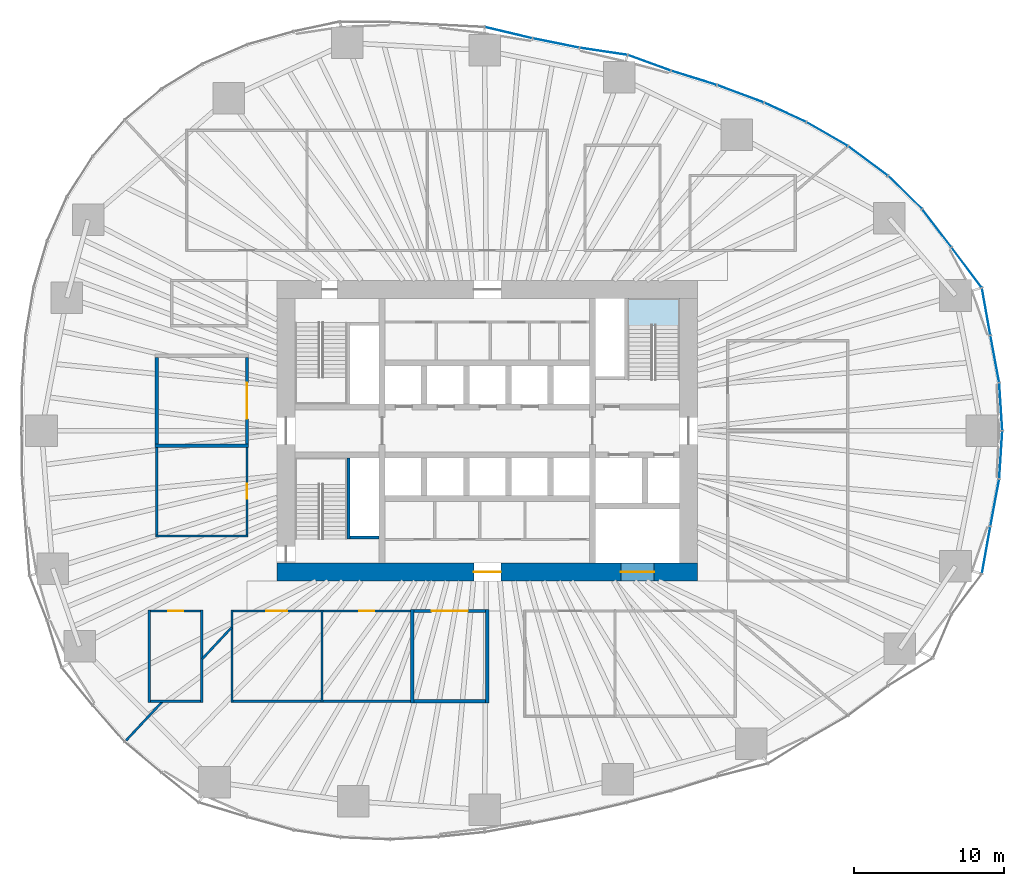
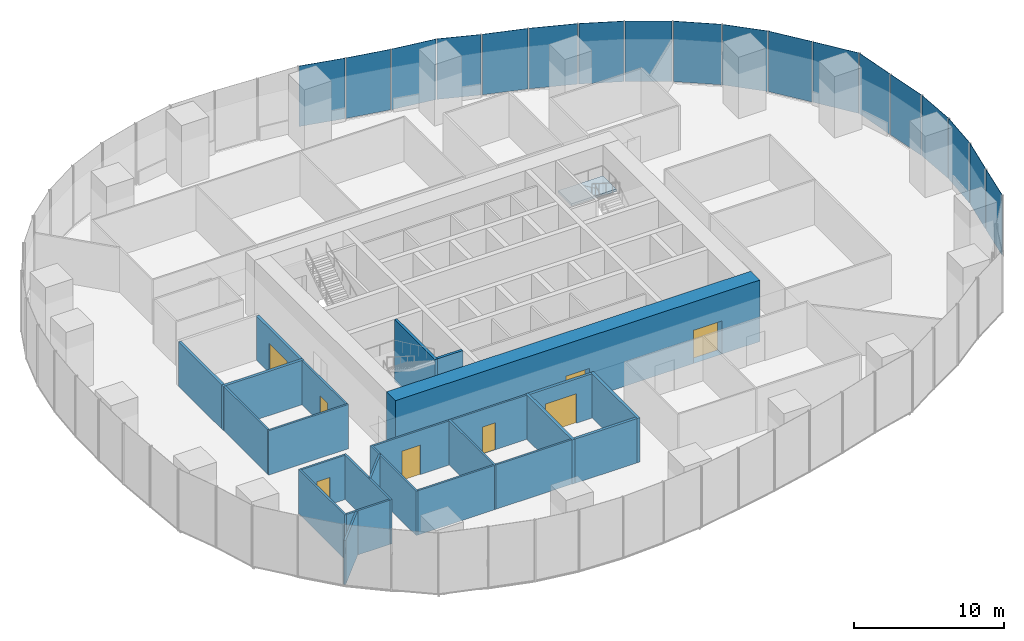
# One storey, part 9 of 20: 25 walls, 18 plates, 8 doors, 1 slab, 8 openings, 7 elements without a shape of their own.
"""IFC4 building model written with IfcOpenShell, lengths in metres."""

from ifc_helpers import new_model, si_unit, direction, frame, frame_2d, origin, origin_2d, place, context, subcontext, project, spatial, polyline, rectangle, outline, extrude, material, layer, layer_set, type_object, element, fill, aggregate, save


model = new_model("IFC4")

# Units and contexts
model_context = context("Model", 3, precision=1e-05, world=origin(), true_north=direction((0.0, 1.0)))
body_context = subcontext(model_context, "Body", "Model", "MODEL_VIEW")
ifc_project = project(units=[si_unit("LENGTHUNIT", "METRE"), si_unit("AREAUNIT", "SQUARE_METRE"), si_unit("VOLUMEUNIT", "CUBIC_METRE"), si_unit("PLANEANGLEUNIT", "RADIAN"), si_unit("MASSUNIT", "GRAM", prefix="KILO")], contexts=[model_context])

# Site, building, storey
site_placement = place(None, origin())
site = spatial("IfcSite", under=ifc_project, at=site_placement, CompositionType="ELEMENT")
building_placement = place(site_placement, origin())
building = spatial("IfcBuilding", under=site, at=building_placement, Name="Ghaith Harvest Tower", CompositionType="ELEMENT")
storey_placement = place(building_placement, frame((0.0, 0.0, 35.0)))
storey = spatial("IfcBuildingStorey", under=building, at=storey_placement, Name="L07", CompositionType="ELEMENT", Elevation=35.0)

# Curtain wall, plates
ifc_material_1 = material(Name="Black anodised aluminium and fritted glass", Category="aluminium")
curtain_wall_type = type_object("IfcCurtainWallType", Name="CW-F CURTAIN WALL", PredefinedType="NOTDEFINED", material=ifc_material_1)
curtain_wall_1_placement = place(storey_placement, origin())
curtain_wall_1 = element("IfcCurtainWall", 1, at=curtain_wall_1_placement, inside=storey, type_object=curtain_wall_type, Name="Curtain wall CW-F bay 01 L07", PredefinedType="NOTDEFINED")
ifc_material_2 = material(Name="Glass, high-transmission fritted double glazed unit", Category="glass")
ifc_layer_1 = layer(ifc_material_2, 0.028076171875)
ifc_layer_set_1 = layer_set([ifc_layer_1], Name="CW-F VISION PANEL")
plate_type = type_object("IfcPlateType", Name="CW-F VISION PANEL", PredefinedType="CURTAIN_PANEL", material=ifc_layer_set_1)
plate_1_placement = place(storey_placement, frame((34.181396484375, 1.602783203125, 0.080078125), z_axis=(0.0, 0.0, 1.0), x_axis=(-0.064445645786, 0.997921218704, 0.0)))
plate_1 = element("IfcPlate", 2, at=plate_1_placement, type_object=plate_type, Name="CW-F panel 1 bay 01 L07", PredefinedType="CURTAIN_PANEL", context=body_context, shape_type="SweptSolid", body=[
    extrude(rectangle(XDim=3.132080078125, YDim=0.028076171875, at=origin_2d()), origin(), (0.0, 0.0, 1.0), 4.919921875),
])
plate_2_placement = place(storey_placement, frame((33.78369140625, 4.78076171875, 0.080078125), z_axis=(0.0, 0.0, 1.0), x_axis=(-0.183569249502, 0.983006780565, 0.0)))
plate_2 = element("IfcPlate", 3, at=plate_2_placement, type_object=plate_type, Name="CW-F panel 2 bay 01 L07", PredefinedType="CURTAIN_PANEL", context=body_context, shape_type="SweptSolid", body=[
    extrude(rectangle(XDim=3.12548828125, YDim=0.028076171875, at=origin_2d()), origin(), (0.0, 0.0, 1.0), 4.919921875),
])
plate_3_placement = place(storey_placement, frame((33.20654296875, 7.93603515625, 0.080078125), z_axis=(0.0, 0.0, 1.0), x_axis=(-0.176319663586, 0.984332960046, 0.0)))
plate_3 = element("IfcPlate", 4, at=plate_3_placement, type_object=plate_type, Name="CW-F panel 3 bay 01 L07", PredefinedType="CURTAIN_PANEL", context=body_context, shape_type="SweptSolid", body=[
    extrude(rectangle(XDim=3.129638671875, YDim=0.028076171875, at=origin_2d()), origin(), (0.0, 0.0, 1.0), 4.919921875),
])
aggregate(curtain_wall_1, [plate_1, plate_2, plate_3])

curtain_wall_2_placement = place(storey_placement, origin())
curtain_wall_2 = element("IfcCurtainWall", 5, at=curtain_wall_2_placement, inside=storey, type_object=curtain_wall_type, Name="Curtain wall CW-F bay 02 L07", PredefinedType="NOTDEFINED")
plate_4_placement = place(storey_placement, frame((31.91015625, 10.865234375, 0.080078125), z_axis=(0.0, 0.0, 1.0), x_axis=(-0.600454091192, 0.799659230154, 0.0)))
plate_4 = element("IfcPlate", 6, at=plate_4_placement, type_object=plate_type, Name="CW-F panel 1 bay 02 L07", PredefinedType="CURTAIN_PANEL", context=body_context, shape_type="SweptSolid", body=[
    extrude(rectangle(XDim=3.295654296875, YDim=0.028076171875, at=origin_2d()), origin(), (0.0, 0.0, 1.0), 4.919921875),
])
plate_5_placement = place(storey_placement, frame((29.921875, 13.4892578125, 0.080078125), z_axis=(0.0, 0.0, 1.0), x_axis=(-0.607611877494, 0.794234100457, 0.0)))
plate_5 = element("IfcPlate", 7, at=plate_5_placement, type_object=plate_type, Name="CW-F panel 2 bay 02 L07", PredefinedType="CURTAIN_PANEL", context=body_context, shape_type="SweptSolid", body=[
    extrude(rectangle(XDim=3.128662109375, YDim=0.028076171875, at=origin_2d()), origin(), (0.0, 0.0, 1.0), 4.919921875),
])
plate_6_placement = place(storey_placement, frame((27.810546875, 15.869384765625, 0.080078125), z_axis=(0.0, 0.0, 1.0), x_axis=(-0.716691335472, 0.69739051446, 0.0)))
plate_6 = element("IfcPlate", 8, at=plate_6_placement, type_object=plate_type, Name="CW-F panel 3 bay 02 L07", PredefinedType="CURTAIN_PANEL", context=body_context, shape_type="SweptSolid", body=[
    extrude(rectangle(XDim=3.092041015625, YDim=0.028076171875, at=origin_2d()), origin(), (0.0, 0.0, 1.0), 4.919921875),
])
aggregate(curtain_wall_2, [plate_4, plate_5, plate_6])

curtain_wall_3_placement = place(storey_placement, origin())
curtain_wall_3 = element("IfcCurtainWall", 9, at=curtain_wall_3_placement, inside=storey, type_object=curtain_wall_type, Name="Curtain wall CW-F bay 03 L07", PredefinedType="NOTDEFINED")
plate_7_placement = place(storey_placement, frame((25.34619140625, 17.96142578125, 0.080078125), z_axis=(0.0, 0.0, 1.0), x_axis=(-0.802866788578, 0.596158468697, 0.0)))
plate_7 = element("IfcPlate", 10, at=plate_7_placement, type_object=plate_type, Name="CW-F panel 1 bay 03 L07", PredefinedType="CURTAIN_PANEL", context=body_context, shape_type="SweptSolid", body=[
    extrude(rectangle(XDim=3.2275390625, YDim=0.028076171875, at=origin_2d()), origin(), (0.0, 0.0, 1.0), 4.919921875),
])
plate_8_placement = place(storey_placement, frame((22.626953125, 19.750244140625, 0.080078125), z_axis=(0.0, 0.0, 1.0), x_axis=(-0.866159208358, 0.499768172033, 0.0)))
plate_8 = element("IfcPlate", 11, at=plate_8_placement, type_object=plate_type, Name="CW-F panel 2 bay 03 L07", PredefinedType="CURTAIN_PANEL", context=body_context, shape_type="SweptSolid", body=[
    extrude(rectangle(XDim=3.1328125, YDim=0.028076171875, at=origin_2d()), origin(), (0.0, 0.0, 1.0), 4.919921875),
])
plate_9_placement = place(storey_placement, frame((19.8291015625, 21.19970703125, 0.080078125), z_axis=(0.0, 0.0, 1.0), x_axis=(-0.908529586897, 0.417820523351, 0.0)))
plate_9 = element("IfcPlate", 12, at=plate_9_placement, type_object=plate_type, Name="CW-F panel 3 bay 03 L07", PredefinedType="CURTAIN_PANEL", context=body_context, shape_type="SweptSolid", body=[
    extrude(rectangle(XDim=3.01611328125, YDim=0.028076171875, at=origin_2d()), origin(), (0.0, 0.0, 1.0), 4.919921875),
])
aggregate(curtain_wall_3, [plate_7, plate_8, plate_9])

curtain_wall_4_placement = place(storey_placement, origin())
curtain_wall_4 = element("IfcCurtainWall", 13, at=curtain_wall_4_placement, inside=storey, type_object=curtain_wall_type, Name="Curtain wall CW-F bay 04 L07", PredefinedType="NOTDEFINED")
plate_10_placement = place(storey_placement, frame((16.85498046875, 22.431396484375, 0.080078125), z_axis=(0.0, 0.0, 1.0), x_axis=(-0.936926487964, 0.349526474178, 0.0)))
plate_10 = element("IfcPlate", 14, at=plate_10_placement, type_object=plate_type, Name="CW-F panel 1 bay 04 L07", PredefinedType="CURTAIN_PANEL", context=body_context, shape_type="SweptSolid", body=[
    extrude(rectangle(XDim=3.26611328125, YDim=0.028076171875, at=origin_2d()), origin(), (0.0, 0.0, 1.0), 4.919921875),
])
plate_11_placement = place(storey_placement, frame((13.760986328125, 23.490234375, 0.080078125), z_axis=(0.0, 0.0, 1.0), x_axis=(-0.954988265421, 0.296643578911, 0.0)))
plate_11 = element("IfcPlate", 15, at=plate_11_placement, type_object=plate_type, Name="CW-F panel 2 bay 04 L07", PredefinedType="CURTAIN_PANEL", context=body_context, shape_type="SweptSolid", body=[
    extrude(rectangle(XDim=3.1171875, YDim=0.028076171875, at=origin_2d()), origin(), (0.0, 0.0, 1.0), 4.919921875),
])
plate_12_placement = place(storey_placement, frame((10.793212890625, 24.490234375, 0.080078125), z_axis=(0.0, 0.0, 1.0), x_axis=(-0.939438435482, 0.342717705902, 0.0)))
plate_12 = element("IfcPlate", 16, at=plate_12_placement, type_object=plate_type, Name="CW-F panel 3 bay 04 L07", PredefinedType="CURTAIN_PANEL", context=body_context, shape_type="SweptSolid", body=[
    extrude(rectangle(XDim=2.98828125, YDim=0.028076171875, at=origin_2d()), origin(), (0.0, 0.0, 1.0), 4.919921875),
])
aggregate(curtain_wall_4, [plate_10, plate_11, plate_12])

curtain_wall_5_placement = place(storey_placement, origin())
curtain_wall_5 = element("IfcCurtainWall", 17, at=curtain_wall_5_placement, inside=storey, type_object=curtain_wall_type, Name="Curtain wall CW-F bay 05 L07", PredefinedType="NOTDEFINED")
plate_13_placement = place(storey_placement, frame((7.744384765625, 25.255615234375, 0.080078125), z_axis=(0.0, 0.0, 1.0), x_axis=(-0.989074249382, 0.147418211935, 0.0)))
plate_13 = element("IfcPlate", 18, at=plate_13_placement, type_object=plate_type, Name="CW-F panel 1 bay 05 L07", PredefinedType="CURTAIN_PANEL", context=body_context, shape_type="SweptSolid", body=[
    extrude(rectangle(XDim=3.17041015625, YDim=0.028076171875, at=origin_2d()), origin(), (0.0, 0.0, 1.0), 4.919921875),
])
plate_14_placement = place(storey_placement, frame((4.5732421875, 25.809326171875, 0.080078125), z_axis=(0.0, 0.0, 1.0), x_axis=(-0.980432348069, 0.196856320344, 0.0)))
plate_14 = element("IfcPlate", 19, at=plate_14_placement, type_object=plate_type, Name="CW-F panel 2 bay 05 L07", PredefinedType="CURTAIN_PANEL", context=body_context, shape_type="SweptSolid", body=[
    extrude(rectangle(XDim=3.1103515625, YDim=0.028076171875, at=origin_2d()), origin(), (0.0, 0.0, 1.0), 4.919921875),
])
plate_15_placement = place(storey_placement, frame((1.41259765625, 26.500244140625, 0.080078125), z_axis=(0.0, 0.0, 1.0), x_axis=(-0.97324595378, 0.229765779545, 0.0)))
plate_15 = element("IfcPlate", 20, at=plate_15_placement, type_object=plate_type, Name="CW-F panel 3 bay 05 L07", PredefinedType="CURTAIN_PANEL", context=body_context, shape_type="SweptSolid", body=[
    extrude(rectangle(XDim=3.200927734375, YDim=0.028076171875, at=origin_2d()), origin(), (0.0, 0.0, 1.0), 4.919921875),
])
aggregate(curtain_wall_5, [plate_13, plate_14, plate_15])

curtain_wall_6_placement = place(storey_placement, origin())
curtain_wall_6 = element("IfcCurtainWall", 21, at=curtain_wall_6_placement, inside=storey, type_object=curtain_wall_type, Name="Curtain wall CW-F bay 20 L07", PredefinedType="NOTDEFINED")
plate_16_placement = place(storey_placement, frame((33.20654296875, -7.93603515625, 0.080078125), z_axis=(0.0, 0.0, 1.0), x_axis=(0.176319663878, 0.984332959994, 0.0)))
plate_16 = element("IfcPlate", 22, at=plate_16_placement, type_object=plate_type, Name="CW-F panel 1 bay 20 L07", PredefinedType="CURTAIN_PANEL", context=body_context, shape_type="SweptSolid", body=[
    extrude(rectangle(XDim=3.129638671875, YDim=0.028076171875, at=origin_2d()), origin(), (0.0, 0.0, 1.0), 4.919921875),
])
plate_17_placement = place(storey_placement, frame((33.78369140625, -4.78076171875, 0.080078125), z_axis=(0.0, 0.0, 1.0), x_axis=(0.183569249777, 0.983006780514, 0.0)))
plate_17 = element("IfcPlate", 23, at=plate_17_placement, type_object=plate_type, Name="CW-F panel 2 bay 20 L07", PredefinedType="CURTAIN_PANEL", context=body_context, shape_type="SweptSolid", body=[
    extrude(rectangle(XDim=3.12548828125, YDim=0.028076171875, at=origin_2d()), origin(), (0.0, 0.0, 1.0), 4.919921875),
])
plate_18_placement = place(storey_placement, frame((34.181396484375, -1.602783203125, 0.080078125), z_axis=(0.0, 0.0, 1.0), x_axis=(0.064445645891, 0.997921218697, 0.0)))
plate_18 = element("IfcPlate", 24, at=plate_18_placement, type_object=plate_type, Name="CW-F panel 3 bay 20 L07", PredefinedType="CURTAIN_PANEL", context=body_context, shape_type="SweptSolid", body=[
    extrude(rectangle(XDim=3.132080078125, YDim=0.028076171875, at=origin_2d()), origin(), (0.0, 0.0, 1.0), 4.919921875),
])
aggregate(curtain_wall_6, [plate_16, plate_17, plate_18])

# Stair, slab
ifc_material_3 = material(Name="Concrete C40/50, precast", Category="concrete")
stair_type = type_object("IfcStairType", Name="CORE STAIR 28R", PredefinedType="HALF_TURN_STAIR", material=ifc_material_3)
stair_placement = place(storey_placement, origin())
stair = element("IfcStair", 25, at=stair_placement, inside=storey, type_object=stair_type, Name="Stair ST2 L07", PredefinedType="HALF_TURN_STAIR")
ifc_material_4 = material(Name="Concrete C40/50, precast", Category="concrete")
ifc_layer_2 = layer(ifc_material_4, 0.179931640625)
ifc_layer_set_2 = layer_set([ifc_layer_2], Name="STAIR LANDING 180")
slab_type = type_object("IfcSlabType", Name="STAIR LANDING 180", PredefinedType="LANDING", material=ifc_layer_set_2)
slab_placement = place(storey_placement, frame((0.0, 0.0, 2.320068359375)))
slab = element("IfcSlab", 26, at=slab_placement, type_object=slab_type, Name="ST2 landing 1", PredefinedType="LANDING", context=body_context, shape_type="SweptSolid", body=[
    extrude(outline(polyline([(12.800048828125, 7.02001953125), (12.800048828125, 8.800048828125), (9.35009765625, 8.800048828125), (9.35009765625, 7.02001953125), (12.800048828125, 7.02001953125)])), origin(), (0.0, 0.0, 1.0), 0.179931640625),
])
aggregate(stair, [slab])

# Walls
ifc_material_5 = material(Name="Concrete blockwork, 1-hour", Category="masonry")
ifc_layer_3 = layer(ifc_material_5, 0.215087890625)
ifc_layer_set_3 = layer_set([ifc_layer_3], Name="BLOCKWORK WALL 215")
wall_type_1 = type_object("IfcWallType", Name="BLOCKWORK WALL 215", PredefinedType="PARTITIONING", material=ifc_layer_set_3)
for number, where, z_axis, x_axis, name in (
    (27, (-5.0, -11.892578125, 0.0), (0.0, 0.0, 1.0), (0.0, -1.0, 0.0), "Partition L07 row S4 cross wall 3"),
    (28, (0.0, -11.892578125, 0.0), (0.0, 0.0, 1.0), (0.0, -1.0, 0.0), "Partition L07 row S4 cross wall 4"),
):
    element("IfcWall", number, at=place(storey_placement, frame(where, z_axis=z_axis, x_axis=x_axis)), inside=storey, type_object=wall_type_1, Name=name, PredefinedType="PARTITIONING", context=body_context, shape_type="SweptSolid", body=[
        extrude(rectangle(XDim=6.21484375, YDim=0.215087890625, at=frame_2d((3.107421875, 0.0))), origin(), (0.0, 0.0, 1.0), 3.60009765625),
    ])

# Wall, opening, door
wall_1_placement = place(storey_placement, frame((-4.892578125, -12.0, 0.0), z_axis=(0.0, 0.0, 1.0), x_axis=(1.0, 0.0, 0.0)))
wall_1 = element("IfcWall", 29, at=wall_1_placement, inside=storey, type_object=wall_type_1, Name="Partition L07-09", PredefinedType="PARTITIONING", context=body_context, shape_type="SweptSolid", body=[
    extrude(rectangle(XDim=4.78515625, YDim=0.215087890625, at=frame_2d((2.392578125, 0.0))), origin(), (0.0, 0.0, 1.0), 3.60009765625),
])
opening_1_placement = place(wall_1_placement, frame((1.1923828125, 0.0, 0.0)))
opening_1 = element("IfcOpeningElement", 30, at=opening_1_placement, cuts=wall_1, Name="Opening 07-034", PredefinedType="OPENING", context=body_context, shape_type="SweptSolid", body=[
    extrude(rectangle(XDim=2.39990234375, YDim=2.39990234375, at=frame_2d((1.199951171875, 1.199951171875))), frame((0.0, 0.11767578125, 0.0), z_axis=(0.0, -1.0, 0.0), x_axis=(1.0, 0.0, 0.0)), (0.0, 0.0, 1.0), 0.235107421875),
])
ifc_material_6 = material(Name="Timber door", Category="wood")
door_type_1 = type_object("IfcDoorType", Name="D10 PLANT PAIR 2400x2400", OperationType="DOUBLE_DOOR_SINGLE_SWING", PredefinedType="DOOR", material=ifc_material_6)
door_1_placement = place(opening_1_placement, origin())
door_1 = element("IfcDoor", 31, at=door_1_placement, inside=storey, type_object=door_type_1, Name="Nutrient tank room door", OperationType="DOUBLE_DOOR_SINGLE_SWING", OverallHeight=2.39990234375, OverallWidth=2.39990234375, PredefinedType="DOOR", context=body_context, shape_type="SweptSolid", body=[
    extrude(rectangle(XDim=2.39990234375, YDim=2.39990234375, at=frame_2d((1.199951171875, 1.199951171875))), frame((0.0, 0.02490234375, 0.0), z_axis=(0.0, -1.0, 0.0), x_axis=(1.0, 0.0, 0.0)), (0.0, 0.0, 1.0), 0.050048828125),
])
fill(opening_1, door_1)

# Walls
wall_2_placement = place(storey_placement, frame((-4.892578125, -18.0, 0.0), z_axis=(0.0, 0.0, 1.0), x_axis=(1.0, 0.0, 0.0)))
element("IfcWall", 32, at=wall_2_placement, inside=storey, type_object=wall_type_1, Name="Partition L07-09", PredefinedType="PARTITIONING", context=body_context, shape_type="SweptSolid", body=[
    extrude(rectangle(XDim=4.78515625, YDim=0.215087890625, at=frame_2d((2.392578125, 0.0))), origin(), (0.0, 0.0, 1.0), 3.60009765625),
])
wall_3_placement = place(storey_placement, frame((-15.892578125, -1.0, 0.0), z_axis=(0.0, 0.0, 1.0), x_axis=(-1.0, 0.0, 0.0)))
element("IfcWall", 33, at=wall_3_placement, inside=storey, type_object=wall_type_1, Name="Partition L07 row W6 cross wall 2", PredefinedType="PARTITIONING", context=body_context, shape_type="SweptSolid", body=[
    extrude(rectangle(XDim=6.21484375, YDim=0.215087890625, at=frame_2d((3.107421875, 0.0))), origin(), (0.0, 0.0, 1.0), 3.60009765625),
])

# Wall, opening, door
wall_4_placement = place(storey_placement, frame((-16.0, -0.892578125, 0.0), z_axis=(0.0, 0.0, 1.0), x_axis=(0.0, 1.0, 0.0)))
wall_4 = element("IfcWall", 34, at=wall_4_placement, inside=storey, type_object=wall_type_1, Name="Partition L07-13", PredefinedType="PARTITIONING", context=body_context, shape_type="SweptSolid", body=[
    extrude(rectangle(XDim=5.78515625, YDim=0.215087890625, at=frame_2d((2.892578125, 0.0))), origin(), (0.0, 0.0, 1.0), 3.60009765625),
])
opening_2_placement = place(wall_4_placement, frame((1.6923828125, 0.0, 0.0)))
opening_2 = element("IfcOpeningElement", 35, at=opening_2_placement, cuts=wall_4, Name="Opening 07-038", PredefinedType="OPENING", context=body_context, shape_type="SweptSolid", body=[
    extrude(rectangle(XDim=2.39990234375, YDim=2.39990234375, at=frame_2d((1.199951171875, 1.199951171875))), frame((0.0, 0.11767578125, 0.0), z_axis=(0.0, -1.0, 0.0), x_axis=(1.0, 0.0, 0.0)), (0.0, 0.0, 1.0), 0.235107421875),
])
door_2_placement = place(opening_2_placement, origin())
door_2 = element("IfcDoor", 36, at=door_2_placement, inside=storey, type_object=door_type_1, Name="Water treatment room door", OperationType="DOUBLE_DOOR_SINGLE_SWING", OverallHeight=2.39990234375, OverallWidth=2.39990234375, PredefinedType="DOOR", context=body_context, shape_type="SweptSolid", body=[
    extrude(rectangle(XDim=2.39990234375, YDim=2.39990234375, at=frame_2d((1.199951171875, 1.199951171875))), frame((0.0, 0.02490234375, 0.0), z_axis=(0.0, -1.0, 0.0), x_axis=(1.0, 0.0, 0.0)), (0.0, 0.0, 1.0), 0.050048828125),
])
fill(opening_2, door_2)

# Wall
wall_5_placement = place(storey_placement, frame((-22.0, -0.892578125, 0.0), z_axis=(0.0, 0.0, 1.0), x_axis=(0.0, 1.0, 0.0)))
element("IfcWall", 37, at=wall_5_placement, inside=storey, type_object=wall_type_1, Name="Partition L07-13", PredefinedType="PARTITIONING", context=body_context, shape_type="SweptSolid", body=[
    extrude(rectangle(XDim=5.78515625, YDim=0.215087890625, at=frame_2d((2.892578125, 0.0))), origin(), (0.0, 0.0, 1.0), 3.60009765625),
])

# Wall, openings, doors
ifc_material_7 = material(Name="Concrete C70/85", Category="concrete")
ifc_layer_4 = layer(ifc_material_7, 1.199951171875)
ifc_layer_set_4 = layer_set([ifc_layer_4], Name="CORE WALL CW1200")
wall_type_2 = type_object("IfcWallType", Name="CORE WALL CW1200", PredefinedType="SHEAR", material=ifc_layer_set_4)
wall_6_placement = place(storey_placement, frame((-14.0, -9.39990234375, 0.0), z_axis=(0.0, 0.0, 1.0), x_axis=(1.0, 0.0, 0.0)))
wall_6 = element("IfcWall", 38, at=wall_6_placement, inside=storey, type_object=wall_type_2, Name="Core wall S L07", PredefinedType="SHEAR", context=body_context, shape_type="SweptSolid", body=[
    extrude(rectangle(XDim=28.0, YDim=1.199951171875, at=frame_2d((14.0, 0.0))), origin(), (0.0, 0.0, 1.0), 5.0),
])
opening_3_placement = place(wall_6_placement, frame((13.10009765625, 0.0, 0.0)))
opening_3 = element("IfcOpeningElement", 39, at=opening_3_placement, cuts=wall_6, Name="Opening 07-018", PredefinedType="OPENING", context=body_context, shape_type="SweptSolid", body=[
    extrude(rectangle(XDim=1.800048828125, YDim=2.39990234375, at=frame_2d((0.89990234375, 1.199951171875))), frame((0.0, 0.60986328125, 0.0), z_axis=(0.0, -1.0, 0.0), x_axis=(1.0, 0.0, 0.0)), (0.0, 0.0, 1.0), 1.219970703125),
])
opening_4_placement = place(wall_6_placement, frame((22.89990234375, 0.0, 0.0)))
opening_4 = element("IfcOpeningElement", 40, at=opening_4_placement, cuts=wall_6, Name="Opening 07-025", PredefinedType="OPENING", context=body_context, shape_type="SweptSolid", body=[
    extrude(rectangle(XDim=2.199951171875, YDim=2.699951171875, at=frame_2d((1.10009765625, 1.35009765625))), frame((0.0, 0.60986328125, 0.0), z_axis=(0.0, -1.0, 0.0), x_axis=(1.0, 0.0, 0.0)), (0.0, 0.0, 1.0), 1.219970703125),
])
ifc_material_8 = material(Name="Steel fire door", Category="steel")
door_type_2 = type_object("IfcDoorType", Name="D4 FD90 PAIR 1800x2400", OperationType="DOUBLE_DOOR_SINGLE_SWING", PredefinedType="DOOR", material=ifc_material_8)
door_3_placement = place(opening_3_placement, origin())
door_3 = element("IfcDoor", 41, at=door_3_placement, inside=storey, type_object=door_type_2, Name="Core service corridor doors", OperationType="DOUBLE_DOOR_SINGLE_SWING", OverallHeight=2.39990234375, OverallWidth=1.800048828125, PredefinedType="DOOR", context=body_context, shape_type="SweptSolid", body=[
    extrude(rectangle(XDim=1.800048828125, YDim=2.39990234375, at=frame_2d((0.89990234375, 1.199951171875))), frame((0.0, 0.02490234375, 0.0), z_axis=(0.0, -1.0, 0.0), x_axis=(1.0, 0.0, 0.0)), (0.0, 0.0, 1.0), 0.050048828125),
])
fill(opening_3, door_3)
ifc_material_9 = material(Name="Steel fire door", Category="steel")
door_type_3 = type_object("IfcDoorType", Name="LD3 LANDING 2200x2700", OperationType="DOUBLE_DOOR_SLIDING", PredefinedType="DOOR", material=ifc_material_9)
door_4_placement = place(opening_4_placement, origin())
door_4 = element("IfcDoor", 42, at=door_4_placement, inside=storey, type_object=door_type_3, Name="Landing door, goods lift GL1", OperationType="DOUBLE_DOOR_SLIDING", OverallHeight=2.699951171875, OverallWidth=2.199951171875, PredefinedType="DOOR", context=body_context, shape_type="SweptSolid", body=[
    extrude(rectangle(XDim=2.199951171875, YDim=2.699951171875, at=frame_2d((1.10009765625, 1.35009765625))), frame((0.0, 0.02490234375, 0.0), z_axis=(0.0, -1.0, 0.0), x_axis=(1.0, 0.0, 0.0)), (0.0, 0.0, 1.0), 0.050048828125),
])
fill(opening_4, door_4)

# Walls
ifc_material_10 = material(Name="Gypsum board on steel studs", Category="steel")
ifc_layer_5 = layer(ifc_material_10, 0.14990234375)
ifc_layer_set_5 = layer_set([ifc_layer_5], Name="PARTITION 150")
wall_type_3 = type_object("IfcWallType", Name="PARTITION 150", PredefinedType="PARTITIONING", material=ifc_layer_set_5)
for number, where, z_axis, x_axis, name in (
    (43, (-17.0, -11.925048828125, 0.0), (0.0, 0.0, 1.0), (0.0, -1.0, 0.0), "Partition L07 row S4 cross wall 1"),
    (44, (-11.0, -11.925048828125, 0.0), (0.0, 0.0, 1.0), (0.0, -1.0, 0.0), "Partition L07 row S4 cross wall 2"),
):
    element("IfcWall", number, at=place(storey_placement, frame(where, z_axis=z_axis, x_axis=x_axis)), inside=storey, type_object=wall_type_3, Name=name, PredefinedType="PARTITIONING", context=body_context, shape_type="SweptSolid", body=[
        extrude(rectangle(XDim=6.14990234375, YDim=0.14990234375, at=frame_2d((3.074951171875, 0.0))), origin(), (0.0, 0.0, 1.0), 3.60009765625),
    ])

# Wall, opening, door
wall_7_placement = place(storey_placement, frame((-16.925048828125, -12.0, 0.0), z_axis=(0.0, 0.0, 1.0), x_axis=(1.0, 0.0, 0.0)))
wall_7 = element("IfcWall", 45, at=wall_7_placement, inside=storey, type_object=wall_type_3, Name="Partition L07-07", PredefinedType="PARTITIONING", context=body_context, shape_type="SweptSolid", body=[
    extrude(rectangle(XDim=5.85009765625, YDim=0.14990234375, at=frame_2d((2.925048828125, 0.0))), origin(), (0.0, 0.0, 1.0), 3.60009765625),
])
opening_5_placement = place(wall_7_placement, frame((2.22509765625, 0.0, 0.0)))
opening_5 = element("IfcOpeningElement", 46, at=opening_5_placement, cuts=wall_7, Name="Opening 07-032", PredefinedType="OPENING", context=body_context, shape_type="SweptSolid", body=[
    extrude(rectangle(XDim=1.39990234375, YDim=2.39990234375, at=frame_2d((0.699951171875, 1.199951171875))), frame((0.0, 0.0849609375, 0.0), z_axis=(0.0, -1.0, 0.0), x_axis=(1.0, 0.0, 0.0)), (0.0, 0.0, 1.0), 0.169921875),
])
ifc_material_11 = material(Name="Stainless steel faced door pair", Category="steel")
door_type_4 = type_object("IfcDoorType", Name="D14 HYGIENE PAIR 1400x2400", OperationType="DOUBLE_DOOR_DOUBLE_SWING", PredefinedType="DOOR", material=ifc_material_11)
door_5_placement = place(opening_5_placement, origin())
door_5 = element("IfcDoor", 47, at=door_5_placement, inside=storey, type_object=door_type_4, Name="Tray wash room door", OperationType="DOUBLE_DOOR_DOUBLE_SWING", OverallHeight=2.39990234375, OverallWidth=1.39990234375, PredefinedType="DOOR", context=body_context, shape_type="SweptSolid", body=[
    extrude(rectangle(XDim=1.39990234375, YDim=2.39990234375, at=frame_2d((0.699951171875, 1.199951171875))), frame((0.0, 0.02490234375, 0.0), z_axis=(0.0, -1.0, 0.0), x_axis=(1.0, 0.0, 0.0)), (0.0, 0.0, 1.0), 0.050048828125),
])
fill(opening_5, door_5)

# Wall
wall_8_placement = place(storey_placement, frame((-16.925048828125, -18.0, 0.0), z_axis=(0.0, 0.0, 1.0), x_axis=(1.0, 0.0, 0.0)))
element("IfcWall", 48, at=wall_8_placement, inside=storey, type_object=wall_type_3, Name="Partition L07-07", PredefinedType="PARTITIONING", context=body_context, shape_type="SweptSolid", body=[
    extrude(rectangle(XDim=5.85009765625, YDim=0.14990234375, at=frame_2d((2.925048828125, 0.0))), origin(), (0.0, 0.0, 1.0), 3.60009765625),
])

# Wall, opening, door
wall_9_placement = place(storey_placement, frame((-10.925048828125, -12.0, 0.0), z_axis=(0.0, 0.0, 1.0), x_axis=(1.0, 0.0, 0.0)))
wall_9 = element("IfcWall", 49, at=wall_9_placement, inside=storey, type_object=wall_type_3, Name="Partition L07-08", PredefinedType="PARTITIONING", context=body_context, shape_type="SweptSolid", body=[
    extrude(rectangle(XDim=5.817626953125, YDim=0.14990234375, at=frame_2d((2.90869140625, 0.0))), origin(), (0.0, 0.0, 1.0), 3.60009765625),
])
opening_6_placement = place(wall_9_placement, frame((2.40869140625, 0.0, 0.0)))
opening_6 = element("IfcOpeningElement", 50, at=opening_6_placement, cuts=wall_9, Name="Opening 07-033", PredefinedType="OPENING", context=body_context, shape_type="SweptSolid", body=[
    extrude(rectangle(XDim=1.0, YDim=2.199951171875, at=frame_2d((0.5, 1.10009765625))), frame((0.0, 0.0849609375, 0.0), z_axis=(0.0, -1.0, 0.0), x_axis=(1.0, 0.0, 0.0)), (0.0, 0.0, 1.0), 0.169921875),
])
ifc_material_12 = material(Name="Timber door", Category="wood")
door_type_5 = type_object("IfcDoorType", Name="D1 SINGLE 1000x2200", OperationType="SINGLE_SWING_LEFT", PredefinedType="DOOR", material=ifc_material_12)
door_6_placement = place(opening_6_placement, origin())
door_6 = element("IfcDoor", 51, at=door_6_placement, inside=storey, type_object=door_type_5, Name="Nutrient dosing room door", OperationType="SINGLE_SWING_LEFT", OverallHeight=2.199951171875, OverallWidth=1.0, PredefinedType="DOOR", context=body_context, shape_type="SweptSolid", body=[
    extrude(rectangle(XDim=1.0, YDim=2.199951171875, at=frame_2d((0.5, 1.10009765625))), frame((0.0, 0.02490234375, 0.0), z_axis=(0.0, -1.0, 0.0), x_axis=(1.0, 0.0, 0.0)), (0.0, 0.0, 1.0), 0.050048828125),
])
fill(opening_6, door_6)

# Walls
wall_10_placement = place(storey_placement, frame((-10.925048828125, -18.0, 0.0), z_axis=(0.0, 0.0, 1.0), x_axis=(1.0, 0.0, 0.0)))
element("IfcWall", 52, at=wall_10_placement, inside=storey, type_object=wall_type_3, Name="Partition L07-08", PredefinedType="PARTITIONING", context=body_context, shape_type="SweptSolid", body=[
    extrude(rectangle(XDim=5.817626953125, YDim=0.14990234375, at=frame_2d((2.90869140625, 0.0))), origin(), (0.0, 0.0, 1.0), 3.60009765625),
])
wall_11_placement = place(storey_placement, frame((-15.925048828125, -7.0, 0.0), z_axis=(0.0, 0.0, 1.0), x_axis=(-1.0, 0.0, 0.0)))
element("IfcWall", 53, at=wall_11_placement, inside=storey, type_object=wall_type_3, Name="Partition L07 row W6 cross wall 1", PredefinedType="PARTITIONING", context=body_context, shape_type="SweptSolid", body=[
    extrude(rectangle(XDim=6.14990234375, YDim=0.14990234375, at=frame_2d((3.074951171875, 0.0))), origin(), (0.0, 0.0, 1.0), 3.60009765625),
])

# Wall, opening, door
wall_12_placement = place(storey_placement, frame((-16.0, -6.925048828125, 0.0), z_axis=(0.0, 0.0, 1.0), x_axis=(0.0, 1.0, 0.0)))
wall_12 = element("IfcWall", 54, at=wall_12_placement, inside=storey, type_object=wall_type_3, Name="Partition L07-12", PredefinedType="PARTITIONING", context=body_context, shape_type="SweptSolid", body=[
    extrude(rectangle(XDim=5.817626953125, YDim=0.14990234375, at=frame_2d((2.90869140625, 0.0))), origin(), (0.0, 0.0, 1.0), 3.60009765625),
])
opening_7_placement = place(wall_12_placement, frame((2.40869140625, 0.0, 0.0)))
opening_7 = element("IfcOpeningElement", 55, at=opening_7_placement, cuts=wall_12, Name="Opening 07-037", PredefinedType="OPENING", context=body_context, shape_type="SweptSolid", body=[
    extrude(rectangle(XDim=1.0, YDim=2.199951171875, at=frame_2d((0.5, 1.10009765625))), frame((0.0, 0.0849609375, 0.0), z_axis=(0.0, -1.0, 0.0), x_axis=(1.0, 0.0, 0.0)), (0.0, 0.0, 1.0), 0.169921875),
])
door_7_placement = place(opening_7_placement, origin())
door_7 = element("IfcDoor", 56, at=door_7_placement, inside=storey, type_object=door_type_5, Name="Substrate store door", OperationType="SINGLE_SWING_LEFT", OverallHeight=2.199951171875, OverallWidth=1.0, PredefinedType="DOOR", context=body_context, shape_type="SweptSolid", body=[
    extrude(rectangle(XDim=1.0, YDim=2.199951171875, at=frame_2d((0.5, 1.10009765625))), frame((0.0, 0.02490234375, 0.0), z_axis=(0.0, -1.0, 0.0), x_axis=(1.0, 0.0, 0.0)), (0.0, 0.0, 1.0), 0.050048828125),
])
fill(opening_7, door_7)

# Walls
wall_13_placement = place(storey_placement, frame((-22.0, -6.925048828125, 0.0), z_axis=(0.0, 0.0, 1.0), x_axis=(0.0, 1.0, 0.0)))
element("IfcWall", 57, at=wall_13_placement, inside=storey, type_object=wall_type_3, Name="Partition L07-12", PredefinedType="PARTITIONING", context=body_context, shape_type="SweptSolid", body=[
    extrude(rectangle(XDim=5.817626953125, YDim=0.14990234375, at=frame_2d((2.90869140625, 0.0))), origin(), (0.0, 0.0, 1.0), 3.60009765625),
])
for number, where, z_axis, x_axis, name in (
    (58, (-22.5, -11.925048828125, 0.0), (0.0, 0.0, 1.0), (0.0, -1.0, 0.0), "Partition L07 row S8 cross wall 1"),
    (59, (-19.0, -11.925048828125, 0.0), (0.0, 0.0, 1.0), (0.0, -1.0, 0.0), "Partition L07 row S8 cross wall 2"),
):
    element("IfcWall", number, at=place(storey_placement, frame(where, z_axis=z_axis, x_axis=x_axis)), inside=storey, type_object=wall_type_3, Name=name, PredefinedType="PARTITIONING", context=body_context, shape_type="SweptSolid", body=[
        extrude(rectangle(XDim=6.14990234375, YDim=0.14990234375, at=frame_2d((3.074951171875, 0.0))), origin(), (0.0, 0.0, 1.0), 3.60009765625),
    ])

# Wall, opening, door
wall_14_placement = place(storey_placement, frame((-22.425048828125, -12.0, 0.0), z_axis=(0.0, 0.0, 1.0), x_axis=(1.0, 0.0, 0.0)))
wall_14 = element("IfcWall", 60, at=wall_14_placement, inside=storey, type_object=wall_type_3, Name="Partition L07-15", PredefinedType="PARTITIONING", context=body_context, shape_type="SweptSolid", body=[
    extrude(rectangle(XDim=3.35009765625, YDim=0.14990234375, at=frame_2d((1.675048828125, 0.0))), origin(), (0.0, 0.0, 1.0), 3.60009765625),
])
opening_8_placement = place(wall_14_placement, frame((1.175048828125, 0.0, 0.0)))
opening_8 = element("IfcOpeningElement", 61, at=opening_8_placement, cuts=wall_14, Name="Opening 07-040", PredefinedType="OPENING", context=body_context, shape_type="SweptSolid", body=[
    extrude(rectangle(XDim=1.0, YDim=2.199951171875, at=frame_2d((0.5, 1.10009765625))), frame((0.0, 0.0849609375, 0.0), z_axis=(0.0, -1.0, 0.0), x_axis=(1.0, 0.0, 0.0)), (0.0, 0.0, 1.0), 0.169921875),
])
door_8_placement = place(opening_8_placement, origin())
door_8 = element("IfcDoor", 62, at=door_8_placement, inside=storey, type_object=door_type_5, Name="Tray store door", OperationType="SINGLE_SWING_LEFT", OverallHeight=2.199951171875, OverallWidth=1.0, PredefinedType="DOOR", context=body_context, shape_type="SweptSolid", body=[
    extrude(rectangle(XDim=1.0, YDim=2.199951171875, at=frame_2d((0.5, 1.10009765625))), frame((0.0, 0.02490234375, 0.0), z_axis=(0.0, -1.0, 0.0), x_axis=(1.0, 0.0, 0.0)), (0.0, 0.0, 1.0), 0.050048828125),
])
fill(opening_8, door_8)

# Walls
wall_15_placement = place(storey_placement, frame((-22.425048828125, -18.0, 0.0), z_axis=(0.0, 0.0, 1.0), x_axis=(1.0, 0.0, 0.0)))
element("IfcWall", 63, at=wall_15_placement, inside=storey, type_object=wall_type_3, Name="Partition L07-15", PredefinedType="PARTITIONING", context=body_context, shape_type="SweptSolid", body=[
    extrude(rectangle(XDim=3.35009765625, YDim=0.14990234375, at=frame_2d((1.675048828125, 0.0))), origin(), (0.0, 0.0, 1.0), 3.60009765625),
])
wall_16_placement = place(storey_placement, frame((-21.621826171875, -18.02001953125, 0.0), z_axis=(0.0, 0.0, 1.0), x_axis=(-0.682522451791, -0.730864626864, 0.0)))
element("IfcWall", 64, at=wall_16_placement, inside=storey, type_object=wall_type_3, Name="Partition L07 zone division", PredefinedType="PARTITIONING", context=body_context, shape_type="SweptSolid", body=[
    extrude(rectangle(XDim=3.53515625, YDim=0.14990234375, at=frame_2d((1.767578125, 0.0))), origin(), (0.0, 0.0, 1.0), 3.60009765625),
])
wall_17_placement = place(storey_placement, frame((-17.02001953125, -13.09228515625, 0.0), z_axis=(0.0, 0.0, 1.0), x_axis=(-0.682506029746, -0.730879962347, 0.0)))
element("IfcWall", 65, at=wall_17_placement, inside=storey, type_object=wall_type_3, Name="Partition L07 zone division", PredefinedType="PARTITIONING", context=body_context, shape_type="SweptSolid", body=[
    extrude(rectangle(XDim=2.871826171875, YDim=0.14990234375, at=frame_2d((1.43603515625, 0.0))), origin(), (0.0, 0.0, 1.0), 3.60009765625),
])
ifc_material_13 = material(Name="Concrete C40/50", Category="concrete")
ifc_layer_6 = layer(ifc_material_13, 0.199951171875)
ifc_layer_set_6 = layer_set([ifc_layer_6], Name="STAIR SPINE WALL RC200")
wall_type_4 = type_object("IfcWallType", Name="STAIR SPINE WALL RC200", PredefinedType="SOLIDWALL", material=ifc_layer_set_6)
wall_18_placement = place(storey_placement, frame((-9.25, -7.199951171875, 0.0), z_axis=(0.0, 0.0, 1.0), x_axis=(0.0, 1.0, 0.0)))
element("IfcWall", 66, at=wall_18_placement, inside=storey, type_object=wall_type_4, Name="Stair ST3 spine wall L07", PredefinedType="SOLIDWALL", context=body_context, shape_type="SweptSolid", body=[
    extrude(rectangle(XDim=5.39990234375, YDim=0.199951171875, at=frame_2d((2.699951171875, 0.0))), origin(), (0.0, 0.0, 1.0), 5.0),
])
wall_19_placement = place(storey_placement, frame((-9.14990234375, -7.10009765625, 0.0), z_axis=(0.0, 0.0, 1.0), x_axis=(1.0, 0.0, 0.0)))
element("IfcWall", 67, at=wall_19_placement, inside=storey, type_object=wall_type_4, Name="Stair ST3 spine wall return L07", PredefinedType="SOLIDWALL", context=body_context, shape_type="SweptSolid", body=[
    extrude(rectangle(XDim=1.949951171875, YDim=0.199951171875, at=frame_2d((0.97509765625, 0.0))), origin(), (0.0, 0.0, 1.0), 5.0),
])

save(model, "model.ifc")
